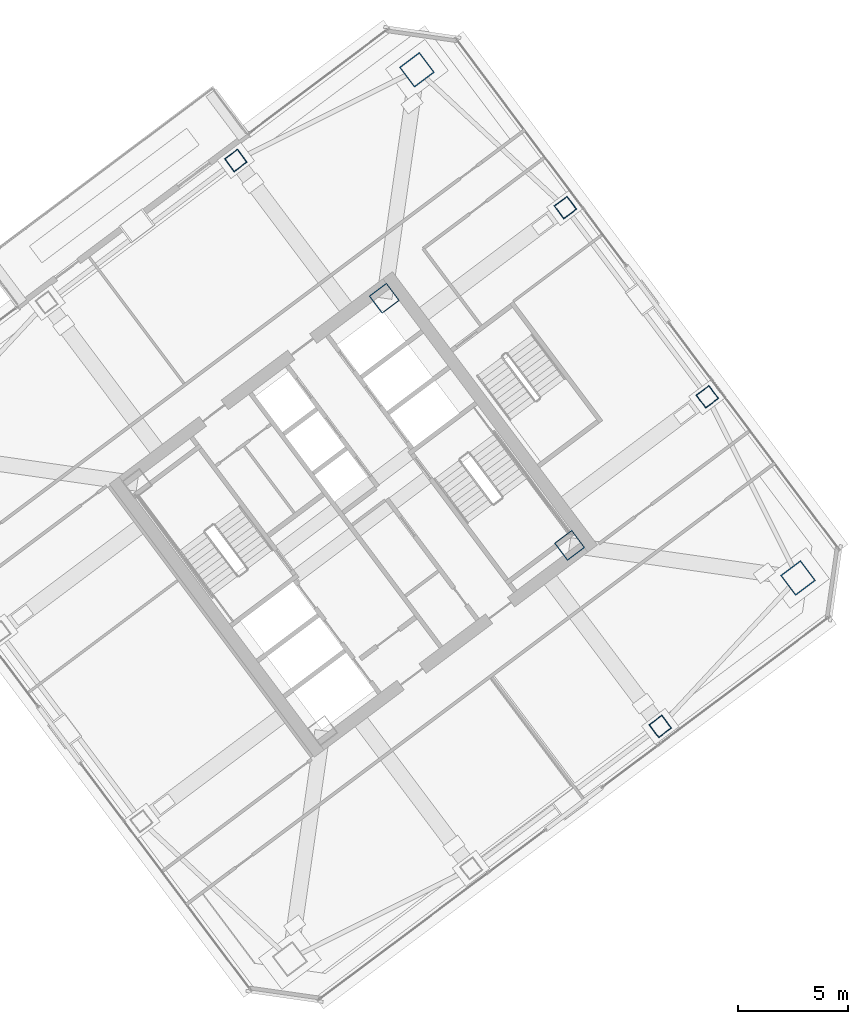
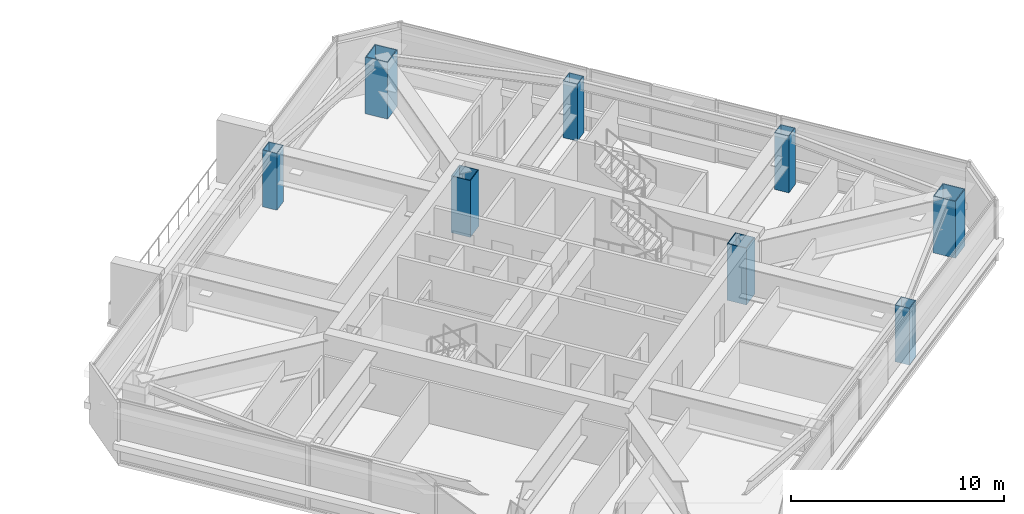
# One storey, part 2 of 42: 8 columns.
"""IFC4 building model written with IfcOpenShell, lengths in metres."""

import ifcopenshell
import ifcopenshell.guid

model = None  # the IFC model being written
_history = None  # IfcOwnerHistory: only IFC2X3 demands one
_inside = {}  # id of a spatial element -> (the spatial element, [elements in it])
_under = {}  # id of a project, library or spatial element -> (it, [spatial elements below it])
_declared = {}  # id of a project -> (the project, [libraries it declares])
_typed = {}  # id of a type object -> (the type object, [elements of that type])
_made_of = {}  # id of a material, layer set ... -> (it, [elements and type objects made of it])


def new_model(schema):
    """Start an empty IFC model of exactly this schema.

    Asked for "IFC4X3", IfcOpenShell would pick the latest addendum, in which some entities
    have other attributes; the version numbers below select the first issue.
    IFC2X3 requires an IfcOwnerHistory on every rooted entity: one is made here for all.
    """
    global model, _history
    if schema == "IFC4X3":
        model = ifcopenshell.file(schema_version=(4, 3, 0, 0))
    else:
        model = ifcopenshell.file(schema=schema)
    _inside.clear()
    _under.clear()
    _declared.clear()
    _typed.clear()
    _made_of.clear()
    _history = None
    if model.schema == "IFC2X3":
        org = make("IfcOrganization", Name="unknown")
        user = make(
            "IfcPersonAndOrganization",
            ThePerson=make("IfcPerson", FamilyName="unknown"),
            TheOrganization=org,
        )
        app = make(
            "IfcApplication",
            ApplicationDeveloper=org,
            Version="unknown",
            ApplicationFullName="unknown",
            ApplicationIdentifier="unknown",
        )
        _history = make(
            "IfcOwnerHistory",
            OwningUser=user,
            OwningApplication=app,
            ChangeAction="ADDED",
            CreationDate=0,
        )
    return model


def make(cls, **values):
    """One entity of the class cls with the attributes given. An attribute that is None is left unset."""
    return model.create_entity(
        cls, **{name: value for name, value in values.items() if value is not None}
    )


def rooted(cls, **values):
    """An entity with a GlobalId (a new one), such as an element, a storey or a relation."""
    return make(cls, GlobalId=ifcopenshell.guid.new(), OwnerHistory=_history, **values)


def si_unit(unit_type, name, prefix=None):
    """IfcSIUnit, for example si_unit("LENGTHUNIT", "METRE", prefix="MILLI")."""
    return make("IfcSIUnit", UnitType=unit_type, Prefix=prefix, Name=name)


def assignment(units):
    """IfcUnitAssignment: the units of a project."""
    return None if units is None else make("IfcUnitAssignment", Units=units)


def point(xyz):
    """IfcCartesianPoint."""
    return None if xyz is None else make("IfcCartesianPoint", Coordinates=xyz)


def direction(xyz):
    """IfcDirection."""
    return None if xyz is None else make("IfcDirection", DirectionRatios=xyz)


def frame(location, z_axis=None, x_axis=None):
    """IfcAxis2Placement3D, a coordinate frame: its origin and axes. An axis left out is left unset."""
    return make(
        "IfcAxis2Placement3D",
        Location=point(location),
        Axis=direction(z_axis),
        RefDirection=direction(x_axis),
    )


def frame_2d(location, x_axis=None):
    """IfcAxis2Placement2D, a coordinate frame in the plane: its origin and x axis."""
    return make(
        "IfcAxis2Placement2D", Location=point(location), RefDirection=direction(x_axis)
    )


def origin():
    """The frame at (0, 0, 0) with its axes left unset."""
    return frame((0.0, 0.0, 0.0))


def origin_2d():
    """The frame at (0, 0) in the plane with its x axis left unset."""
    return frame_2d((0.0, 0.0))


def place(relative_to, where):
    """IfcLocalPlacement: puts the frame where relative to a parent placement (None: the world)."""
    return make(
        "IfcLocalPlacement", PlacementRelTo=relative_to, RelativePlacement=where
    )


def context(
    kind, dimensions, precision=None, world=None, true_north=None, identifier=None
):
    """IfcGeometricRepresentationContext, for example the 3D "Model" context."""
    return make(
        "IfcGeometricRepresentationContext",
        ContextIdentifier=identifier,
        ContextType=kind,
        CoordinateSpaceDimension=dimensions,
        Precision=precision,
        WorldCoordinateSystem=world,
        TrueNorth=true_north,
    )


def subcontext(parent, identifier, kind, view, scale=None):
    """IfcGeometricRepresentationSubContext, for example "Body" below "Model"."""
    return make(
        "IfcGeometricRepresentationSubContext",
        ContextIdentifier=identifier,
        ContextType=kind,
        ParentContext=parent,
        TargetScale=scale,
        TargetView=view,
    )


def project(units=None, contexts=None):
    """IfcProject with its units and contexts."""
    return rooted(
        "IfcProject",
        Name="project",
        RepresentationContexts=contexts,
        UnitsInContext=assignment(units),
    )


def spatial(cls, under=None, at=None, **own):
    """A site, building, storey or space (cls), placed at a placement, below another one or the project."""
    s = rooted(cls, ObjectPlacement=at, **own)
    if under is not None:
        _under.setdefault(under.id(), (under, []))[1].append(s)
    return s


def profile(cls, at=None, kind="AREA", **sizes):
    """A parametric profile (cls). Its sizes go by their IFC names, for example OverallWidth=200.0."""
    return make(cls, ProfileType=kind, Position=at, **sizes)


def hollow_rectangle(**sizes):
    """IfcRectangleHollowProfileDef."""
    return profile("IfcRectangleHollowProfileDef", **sizes)


def extrude(swept, where, along, depth):
    """IfcExtrudedAreaSolid: the profile swept, set in the frame where, extruded along a direction by depth."""
    return make(
        "IfcExtrudedAreaSolid",
        SweptArea=swept,
        Position=where,
        ExtrudedDirection=direction(along),
        Depth=depth,
    )


def shape(context_of_items, identifier, shape_type, items):
    """IfcShapeRepresentation: the items that make up one representation, for example the "Body"."""
    return make(
        "IfcShapeRepresentation",
        ContextOfItems=context_of_items,
        RepresentationIdentifier=identifier,
        RepresentationType=shape_type,
        Items=items,
    )


def material(Name=None, Category=None):
    """IfcMaterial."""
    return make("IfcMaterial", Name=Name, Category=Category)


def material_profile(
    of_material, cross_section, Name=None, Category=None, Priority=None
):
    """IfcMaterialProfile: a cross section and its material."""
    return make(
        "IfcMaterialProfile",
        Name=Name,
        Material=of_material,
        Profile=cross_section,
        Priority=Priority,
        Category=Category,
    )


def profile_set(profiles, Name=None, composite=None):
    """IfcMaterialProfileSet."""
    return make(
        "IfcMaterialProfileSet",
        Name=Name,
        MaterialProfiles=profiles,
        CompositeProfile=composite,
    )


def made_of(thing, what):
    """Note that an element or type object is made of a material, layer set ...; save() writes the relation."""
    if what is not None:
        _made_of.setdefault(what.id(), (what, []))[1].append(thing)
    return thing


def type_object(cls, material=None, **own):
    """A type object (cls), such as IfcWallType, which elements share."""
    return made_of(rooted(cls, **own), material)


def element(
    cls,
    number,
    at=None,
    inside=None,
    cuts=None,
    type_object=None,
    material=None,
    context=None,
    identifier="Body",
    shape_type=None,
    held_by="IfcProductDefinitionShape",
    body=None,
    shapes=None,
    **own,
):
    """One element of the class cls, such as IfcWall. Its Tag is "e" and its number.

    at: its placement. inside: the storey or other place that contains it. cuts: it is an
    opening in that element (IfcRelVoidsElement). A single representation is given by context,
    identifier, shape_type and body (its items); several are given by shapes. held_by: the class
    of the entity that holds the representations. save() writes the other relations.
    """
    e = rooted(cls, Tag="e%d" % number, ObjectPlacement=at, **own)
    if body is not None:
        shapes = [shape(context, identifier, shape_type, body)]
    if shapes is not None:
        e.Representation = make(held_by, Representations=shapes)
    if inside is not None:
        _inside.setdefault(inside.id(), (inside, []))[1].append(e)
    if cuts is not None:
        rooted(
            "IfcRelVoidsElement", RelatingBuildingElement=cuts, RelatedOpeningElement=e
        )
    if type_object is not None:
        _typed.setdefault(type_object.id(), (type_object, []))[1].append(e)
    return made_of(e, material)


def aggregate(whole, parts):
    """IfcRelAggregates: a whole, such as a stair, and the parts it consists of."""
    return rooted("IfcRelAggregates", RelatingObject=whole, RelatedObjects=parts)


def save(model, path):
    """Write the relations noted so far, then the file.

    IfcRelAggregates (storeys below a building ...), IfcRelContainedInSpatialStructure (elements
    in a storey), IfcRelDefinesByType, IfcRelAssociatesMaterial and IfcRelDeclares: one each for
    every whole, place, type object, material and project.
    """
    for whole, parts in _under.values():
        aggregate(whole, parts)
    for where, things in _inside.values():
        rooted(
            "IfcRelContainedInSpatialStructure",
            RelatedElements=things,
            RelatingStructure=where,
        )
    for kind, things in _typed.values():
        rooted("IfcRelDefinesByType", RelatedObjects=things, RelatingType=kind)
    for what, things in _made_of.values():
        rooted("IfcRelAssociatesMaterial", RelatedObjects=things, RelatingMaterial=what)
    for by, libraries in _declared.values():
        rooted("IfcRelDeclares", RelatingContext=by, RelatedDefinitions=libraries)
    model.write(path)


model = new_model("IFC4")

# Units and contexts
model_context = context("Model", 3, precision=1e-05, world=origin(), true_north=direction((0.0, 1.0)))
body_context = subcontext(model_context, "Body", "Model", "MODEL_VIEW")
ifc_project = project(units=[si_unit("LENGTHUNIT", "METRE"), si_unit("AREAUNIT", "SQUARE_METRE"), si_unit("VOLUMEUNIT", "CUBIC_METRE"), si_unit("PLANEANGLEUNIT", "RADIAN"), si_unit("MASSUNIT", "GRAM", prefix="KILO")], contexts=[model_context])

# Site, building, storey
site_placement = place(None, origin())
site = spatial("IfcSite", under=ifc_project, at=site_placement, CompositionType="ELEMENT")
building_placement = place(site_placement, origin())
building = spatial("IfcBuilding", under=site, at=building_placement, Name="Tashvorn Skyway Center", CompositionType="ELEMENT")
storey_placement = place(building_placement, frame((0.0, 0.0, 196.050048828125)))
storey = spatial("IfcBuildingStorey", under=building, at=storey_placement, Name="L53", CompositionType="ELEMENT", Elevation=196.050048828125)

# Columns
ifc_material = material(Name="Steel ASTM A572 Grade 50", Category="steel")
ifc_material_profile_1 = material_profile(ifc_material, hollow_rectangle(XDim=1.0, YDim=1.0, WallThickness=0.0400390625, at=origin_2d()), Name="BOX1000x1000x40")
ifc_profile_set_1 = profile_set([ifc_material_profile_1], Name="Steel ASTM A572 Grade 50")
column_type_1 = type_object("IfcColumnType", Name="COL-BOX1000x1000x40", PredefinedType="COLUMN", material=ifc_profile_set_1)
for number, where, z_axis, x_axis, name in (
    (1, (123.8701171875, 30.590087890625, 0.0), (0.0, 0.0, 1.0), (0.799999996291, 0.600000004945, 0.0), "Tower 2 L53 Core Corner Column CC-SE"),
    (2, (115.409912109375, 41.8701171875, 0.0), (0.0, 0.0, 1.0), (0.799999996291, 0.600000004945, 0.0), "Tower 2 L53 Core Corner Column CC-NE"),
):
    element("IfcColumn", number, at=place(storey_placement, frame(where, z_axis=z_axis, x_axis=x_axis)), inside=storey, type_object=column_type_1, Name=name, PredefinedType="COLUMN", context=body_context, shape_type="SweptSolid", body=[
        extrude(hollow_rectangle(XDim=1.0, YDim=1.0, WallThickness=0.0400390625, at=origin_2d()), origin(), (0.0, 0.0, 1.0), 3.25),
    ])
ifc_material_profile_2 = material_profile(ifc_material, hollow_rectangle(XDim=1.14990234375, YDim=1.14990234375, WallThickness=0.044921875, at=origin_2d()), Name="BOX1150x1150x45")
ifc_profile_set_2 = profile_set([ifc_material_profile_2], Name="Steel ASTM A572 Grade 50")
column_type_2 = type_object("IfcColumnType", Name="COL-BOX1150x1150x45", PredefinedType="COLUMN", material=ifc_profile_set_2)
for number, where, z_axis, x_axis, name in (
    (3, (134.300048828125, 29.10009765625, 0.0), (0.0, 0.0, 1.0), (0.799999996291, 0.600000004945, 0.0), "Tower 2 L53 Mega-Column MC-SE"),
    (4, (116.89990234375, 52.300048828125, 0.0), (0.0, 0.0, 1.0), (0.799999996291, 0.600000004945, 0.0), "Tower 2 L53 Mega-Column MC-NE"),
):
    element("IfcColumn", number, at=place(storey_placement, frame(where, z_axis=z_axis, x_axis=x_axis)), inside=storey, type_object=column_type_2, Name=name, PredefinedType="COLUMN", context=body_context, shape_type="SweptSolid", body=[
        extrude(hollow_rectangle(XDim=1.14990234375, YDim=1.14990234375, WallThickness=0.044921875, at=origin_2d()), origin(), (0.0, 0.0, 1.0), 3.25),
    ])
ifc_material_profile_3 = material_profile(ifc_material, hollow_rectangle(XDim=0.75, YDim=0.75, WallThickness=0.031982421875, at=origin_2d()), Name="BOX750x750x32")
ifc_profile_set_3 = profile_set([ifc_material_profile_3], Name="Steel ASTM A572 Grade 50")
column_type_3 = type_object("IfcColumnType", Name="COL-BOX750x750x32", PredefinedType="COLUMN", material=ifc_profile_set_3)
for number, where, z_axis, x_axis, name in (
    (5, (128.010009765625, 22.320068359375, 0.0), (0.0, 0.0, 1.0), (0.799999996291, 0.600000004945, 0.0), "Tower 2 L53 Perimeter Column FC-S2"),
    (6, (130.159912109375, 37.3701171875, 0.0), (0.0, 0.0, 1.0), (0.799999996291, 0.600000004945, 0.0), "Tower 2 L53 Perimeter Column FC-E1"),
    (7, (123.679931640625, 46.010009765625, 0.0), (0.0, 0.0, 1.0), (0.799999996291, 0.600000004945, 0.0), "Tower 2 L53 Perimeter Column FC-E2"),
    (8, (108.6298828125, 48.159912109375, 0.0), (0.0, 0.0, 1.0), (0.799999996291, 0.600000004945, 0.0), "Tower 2 L53 Perimeter Column FC-N1"),
):
    element("IfcColumn", number, at=place(storey_placement, frame(where, z_axis=z_axis, x_axis=x_axis)), inside=storey, type_object=column_type_3, Name=name, PredefinedType="COLUMN", context=body_context, shape_type="SweptSolid", body=[
        extrude(hollow_rectangle(XDim=0.75, YDim=0.75, WallThickness=0.031982421875, at=origin_2d()), origin(), (0.0, 0.0, 1.0), 3.25),
    ])

save(model, "model.ifc")
